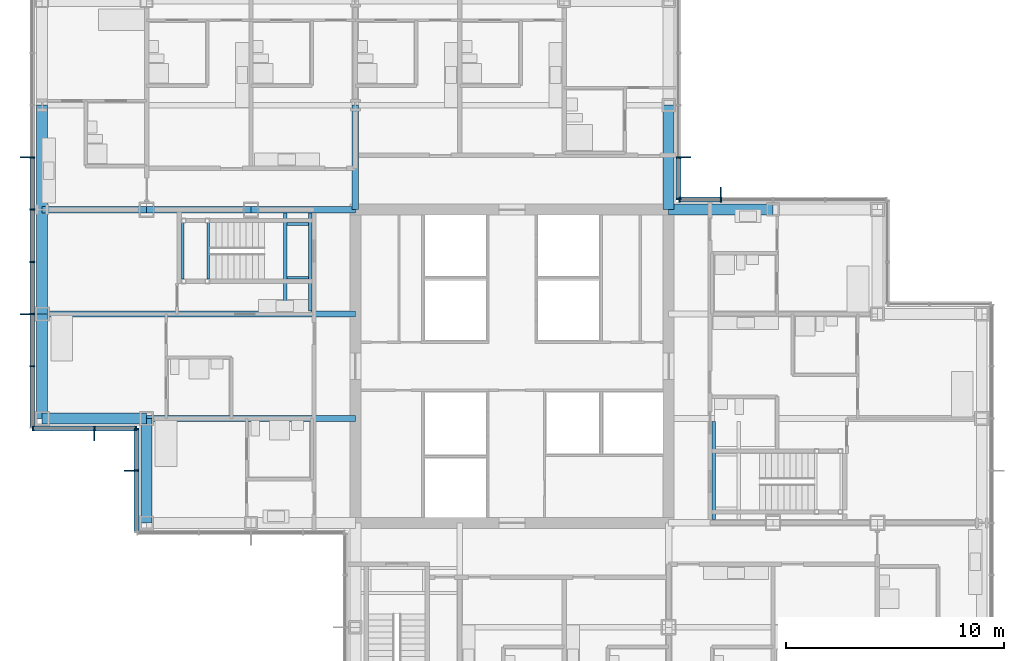
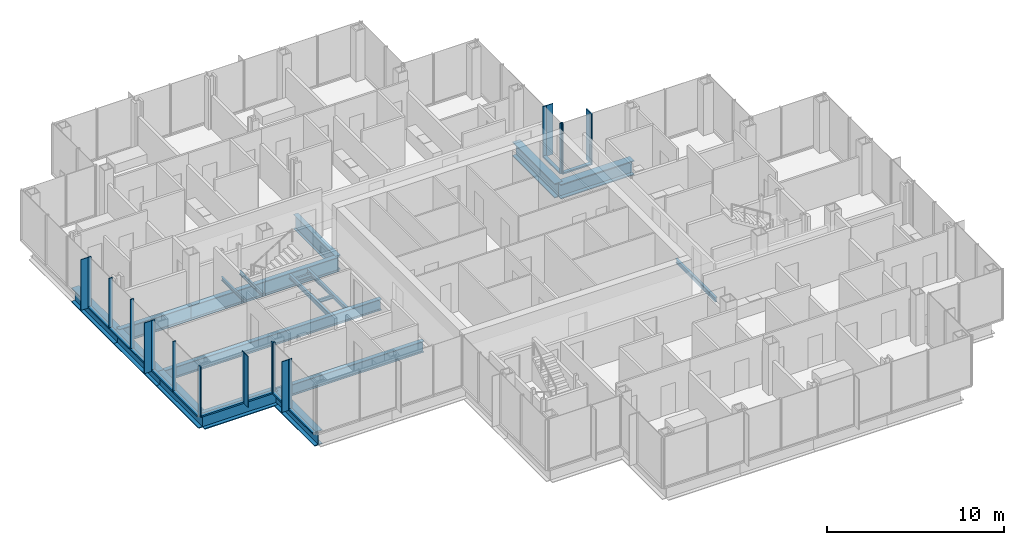
# One storey, part 7 of 19: 31 members, 20 beams, 5 elements without a shape of their own.
"""IFC4 building model written with IfcOpenShell, lengths in metres."""

from ifc_helpers import new_model, si_unit, direction, frame, origin, origin_2d, place, context, subcontext, project, spatial, rectangle, i_section, extrude, material, material_profile, profile_set, type_object, element, aggregate, save


model = new_model("IFC4")

# Units and contexts
model_context = context("Model", 3, precision=1e-05, world=origin(), true_north=direction((0.0, 1.0)))
body_context = subcontext(model_context, "Body", "Model", "MODEL_VIEW")
ifc_project = project(units=[si_unit("LENGTHUNIT", "METRE"), si_unit("AREAUNIT", "SQUARE_METRE"), si_unit("VOLUMEUNIT", "CUBIC_METRE"), si_unit("PLANEANGLEUNIT", "RADIAN"), si_unit("MASSUNIT", "GRAM", prefix="KILO")], contexts=[model_context])

# Site, building, storey
site_placement = place(None, origin())
site = spatial("IfcSite", under=ifc_project, at=site_placement, CompositionType="ELEMENT")
building_placement = place(site_placement, origin())
building = spatial("IfcBuilding", under=site, at=building_placement, Name="Kvirike Care Tower", CompositionType="ELEMENT")
storey_placement = place(building_placement, frame((0.0, 0.0, 87.5)))
storey = spatial("IfcBuildingStorey", under=building, at=storey_placement, Name="L23", CompositionType="ELEMENT", Elevation=87.5)

# Curtain wall, member
ifc_material_1 = material(Name="Anodised aluminium stick system", Category="aluminium")
curtain_wall_type = type_object("IfcCurtainWallType", Name="CW-B STICK CURTAIN WALL", PredefinedType="NOTDEFINED", material=ifc_material_1)
curtain_wall_1_placement = place(storey_placement, origin())
curtain_wall_1 = element("IfcCurtainWall", 1, at=curtain_wall_1_placement, inside=storey, type_object=curtain_wall_type, Name="Curtain wall L23 face 4", PredefinedType="NOTDEFINED")
ifc_material_2 = material(Name="Bronze anodised aluminium fin", Category="aluminium")
ifc_material_profile_1 = material_profile(ifc_material_2, rectangle(XDim=0.050048828125, YDim=0.449951171875, at=origin_2d()), Name="BRONZE FIN 450")
ifc_profile_set_1 = profile_set([ifc_material_profile_1], Name="Bronze anodised aluminium fin")
member_type_1 = type_object("IfcMemberType", Name="BRONZE FIN 450", PredefinedType="USERDEFINED", material=ifc_profile_set_1)
member_1_placement = place(storey_placement, frame((31.199951171875, 43.9951171875, 0.0), z_axis=(0.0, 0.0, 1.0), x_axis=(-1.0, 0.0, 0.0)))
member_1 = element("IfcMember", 2, at=member_1_placement, type_object=member_type_1, Name="Bronze fin L23 face 4.4", ObjectType="FIN", PredefinedType="USERDEFINED", context=body_context, shape_type="SweptSolid", body=[
    extrude(rectangle(XDim=0.050048828125, YDim=0.449951171875, at=origin_2d()), origin(), (0.0, 0.0, 1.0), 3.5),
])

curtain_wall_2_placement = place(storey_placement, origin())
curtain_wall_2 = element("IfcCurtainWall", 3, at=curtain_wall_2_placement, inside=storey, type_object=curtain_wall_type, Name="Curtain wall L23 face 5", PredefinedType="NOTDEFINED")
member_2_placement = place(storey_placement, frame((29.594970703125, 45.60009765625, 0.0), z_axis=(0.0, 0.0, 1.0), x_axis=(0.0, 1.0, 0.0)))
member_2 = element("IfcMember", 4, at=member_2_placement, type_object=member_type_1, Name="Bronze fin L23 face 5.2", ObjectType="FIN", PredefinedType="USERDEFINED", context=body_context, shape_type="SweptSolid", body=[
    extrude(rectangle(XDim=0.050048828125, YDim=0.449951171875, at=origin_2d()), origin(), (0.0, 0.0, 1.0), 3.5),
])

# Curtain wall, members
curtain_wall_3_placement = place(storey_placement, origin())
curtain_wall_3 = element("IfcCurtainWall", 5, at=curtain_wall_3_placement, inside=storey, type_object=curtain_wall_type, Name="Curtain wall L23 face 11", PredefinedType="NOTDEFINED")
member_3_placement = place(storey_placement, frame((-0.794921875, 45.60009765625, 0.0), z_axis=(0.0, 0.0, 1.0), x_axis=(0.0, -1.0, 0.0)))
member_3 = element("IfcMember", 6, at=member_3_placement, type_object=member_type_1, Name="Bronze fin L23 face 11.4", ObjectType="FIN", PredefinedType="USERDEFINED", context=body_context, shape_type="SweptSolid", body=[
    extrude(rectangle(XDim=0.050048828125, YDim=0.449951171875, at=origin_2d()), origin(), (0.0, 0.0, 1.0), 3.5),
])
member_4_placement = place(storey_placement, frame((-0.794921875, 38.39990234375, 0.0), z_axis=(0.0, 0.0, 1.0), x_axis=(0.0, -1.0, 0.0)))
member_4 = element("IfcMember", 7, at=member_4_placement, type_object=member_type_1, Name="Bronze fin L23 face 11.7", ObjectType="FIN", PredefinedType="USERDEFINED", context=body_context, shape_type="SweptSolid", body=[
    extrude(rectangle(XDim=0.050048828125, YDim=0.449951171875, at=origin_2d()), origin(), (0.0, 0.0, 1.0), 3.5),
])

# Curtain wall, member
curtain_wall_4_placement = place(storey_placement, origin())
curtain_wall_4 = element("IfcCurtainWall", 8, at=curtain_wall_4_placement, inside=storey, type_object=curtain_wall_type, Name="Curtain wall L23 face 12", PredefinedType="NOTDEFINED")
member_5_placement = place(storey_placement, frame((2.39990234375, 32.804931640625, 0.0), z_axis=(0.0, 0.0, 1.0), x_axis=(1.0, 0.0, 0.0)))
member_5 = element("IfcMember", 9, at=member_5_placement, type_object=member_type_1, Name="Bronze fin L23 face 12.2", ObjectType="FIN", PredefinedType="USERDEFINED", context=body_context, shape_type="SweptSolid", body=[
    extrude(rectangle(XDim=0.050048828125, YDim=0.449951171875, at=origin_2d()), origin(), (0.0, 0.0, 1.0), 3.5),
])

curtain_wall_5_placement = place(storey_placement, origin())
curtain_wall_5 = element("IfcCurtainWall", 10, at=curtain_wall_5_placement, inside=storey, type_object=curtain_wall_type, Name="Curtain wall L23 face 13", PredefinedType="NOTDEFINED")
member_6_placement = place(storey_placement, frame((4.0048828125, 31.199951171875, 0.0), z_axis=(0.0, 0.0, 1.0), x_axis=(0.0, -1.0, 0.0)))
member_6 = element("IfcMember", 11, at=member_6_placement, type_object=member_type_1, Name="Bronze fin L23 face 13.2", ObjectType="FIN", PredefinedType="USERDEFINED", context=body_context, shape_type="SweptSolid", body=[
    extrude(rectangle(XDim=0.050048828125, YDim=0.449951171875, at=origin_2d()), origin(), (0.0, 0.0, 1.0), 3.5),
])

# Member
ifc_material_3 = material(Name="Bronze anodised aluminium mullion", Category="aluminium")
ifc_material_profile_2 = material_profile(ifc_material_3, rectangle(XDim=0.06494140625, YDim=0.219970703125, at=origin_2d()), Name="CW-B MULLION 65x220")
ifc_profile_set_2 = profile_set([ifc_material_profile_2], Name="Bronze anodised aluminium mullion")
member_type_2 = type_object("IfcMemberType", Name="CW-B MULLION 65x220", PredefinedType="MULLION", material=ifc_profile_set_2)
member_7_placement = place(storey_placement, frame((31.199951171875, 43.659912109375, 0.0), z_axis=(0.0, 0.0, 1.0), x_axis=(-1.0, 0.0, 0.0)))
member_7 = element("IfcMember", 12, at=member_7_placement, type_object=member_type_2, Name="CW-B mullion L23 face 4.4", PredefinedType="MULLION", context=body_context, shape_type="SweptSolid", body=[
    extrude(rectangle(XDim=0.06494140625, YDim=0.219970703125, at=origin_2d()), origin(), (0.0, 0.0, 1.0), 3.5),
])

member_8_placement = place(storey_placement, frame((29.29248046875, 43.659912109375, 0.0), z_axis=(0.0, 0.0, 1.0), x_axis=(-1.0, 0.0, 0.0)))
member_8 = element("IfcMember", 13, at=member_8_placement, type_object=member_type_2, Name="CW-B mullion L23 face 4.5", PredefinedType="MULLION", context=body_context, shape_type="SweptSolid", body=[
    extrude(rectangle(XDim=0.06494140625, YDim=0.219970703125, at=origin_2d()), origin(), (0.0, 0.0, 1.0), 3.5),
])

member_9_placement = place(storey_placement, frame((29.260009765625, 43.6923828125, 0.0), z_axis=(0.0, 0.0, 1.0), x_axis=(0.0, 1.0, 0.0)))
member_9 = element("IfcMember", 14, at=member_9_placement, type_object=member_type_2, Name="CW-B mullion L23 face 5.1", PredefinedType="MULLION", context=body_context, shape_type="SweptSolid", body=[
    extrude(rectangle(XDim=0.06494140625, YDim=0.219970703125, at=origin_2d()), origin(), (0.0, 0.0, 1.0), 3.5),
])

member_10_placement = place(storey_placement, frame((29.260009765625, 45.60009765625, 0.0), z_axis=(0.0, 0.0, 1.0), x_axis=(0.0, 1.0, 0.0)))
member_10 = element("IfcMember", 15, at=member_10_placement, type_object=member_type_2, Name="CW-B mullion L23 face 5.2", PredefinedType="MULLION", context=body_context, shape_type="SweptSolid", body=[
    extrude(rectangle(XDim=0.06494140625, YDim=0.219970703125, at=origin_2d()), origin(), (0.0, 0.0, 1.0), 3.5),
])

member_11_placement = place(storey_placement, frame((-0.4599609375, 45.60009765625, 0.0), z_axis=(0.0, 0.0, 1.0), x_axis=(0.0, -1.0, 0.0)))
member_11 = element("IfcMember", 16, at=member_11_placement, type_object=member_type_2, Name="CW-B mullion L23 face 11.4", PredefinedType="MULLION", context=body_context, shape_type="SweptSolid", body=[
    extrude(rectangle(XDim=0.06494140625, YDim=0.219970703125, at=origin_2d()), origin(), (0.0, 0.0, 1.0), 3.5),
])

member_12_placement = place(storey_placement, frame((-0.4599609375, 43.199951171875, 0.0), z_axis=(0.0, 0.0, 1.0), x_axis=(0.0, -1.0, 0.0)))
member_12 = element("IfcMember", 17, at=member_12_placement, type_object=member_type_2, Name="CW-B mullion L23 face 11.5", PredefinedType="MULLION", context=body_context, shape_type="SweptSolid", body=[
    extrude(rectangle(XDim=0.06494140625, YDim=0.219970703125, at=origin_2d()), origin(), (0.0, 0.0, 1.0), 3.5),
])

member_13_placement = place(storey_placement, frame((-0.4599609375, 40.800048828125, 0.0), z_axis=(0.0, 0.0, 1.0), x_axis=(0.0, -1.0, 0.0)))
member_13 = element("IfcMember", 18, at=member_13_placement, type_object=member_type_2, Name="CW-B mullion L23 face 11.6", PredefinedType="MULLION", context=body_context, shape_type="SweptSolid", body=[
    extrude(rectangle(XDim=0.06494140625, YDim=0.219970703125, at=origin_2d()), origin(), (0.0, 0.0, 1.0), 3.5),
])

member_14_placement = place(storey_placement, frame((-0.4599609375, 38.39990234375, 0.0), z_axis=(0.0, 0.0, 1.0), x_axis=(0.0, -1.0, 0.0)))
member_14 = element("IfcMember", 19, at=member_14_placement, type_object=member_type_2, Name="CW-B mullion L23 face 11.7", PredefinedType="MULLION", context=body_context, shape_type="SweptSolid", body=[
    extrude(rectangle(XDim=0.06494140625, YDim=0.219970703125, at=origin_2d()), origin(), (0.0, 0.0, 1.0), 3.5),
])

member_15_placement = place(storey_placement, frame((-0.4599609375, 36.0, 0.0), z_axis=(0.0, 0.0, 1.0), x_axis=(0.0, -1.0, 0.0)))
member_15 = element("IfcMember", 20, at=member_15_placement, type_object=member_type_2, Name="CW-B mullion L23 face 11.8", PredefinedType="MULLION", context=body_context, shape_type="SweptSolid", body=[
    extrude(rectangle(XDim=0.06494140625, YDim=0.219970703125, at=origin_2d()), origin(), (0.0, 0.0, 1.0), 3.5),
])

member_16_placement = place(storey_placement, frame((-0.427490234375, 33.139892578125, 0.0), z_axis=(0.0, 0.0, 1.0), x_axis=(1.0, 0.0, 0.0)))
member_16 = element("IfcMember", 21, at=member_16_placement, type_object=member_type_2, Name="CW-B mullion L23 face 12.1", PredefinedType="MULLION", context=body_context, shape_type="SweptSolid", body=[
    extrude(rectangle(XDim=0.06494140625, YDim=0.219970703125, at=origin_2d()), origin(), (0.0, 0.0, 1.0), 3.5),
])

member_17_placement = place(storey_placement, frame((2.39990234375, 33.139892578125, 0.0), z_axis=(0.0, 0.0, 1.0), x_axis=(1.0, 0.0, 0.0)))
member_17 = element("IfcMember", 22, at=member_17_placement, type_object=member_type_2, Name="CW-B mullion L23 face 12.2", PredefinedType="MULLION", context=body_context, shape_type="SweptSolid", body=[
    extrude(rectangle(XDim=0.06494140625, YDim=0.219970703125, at=origin_2d()), origin(), (0.0, 0.0, 1.0), 3.5),
])

member_18_placement = place(storey_placement, frame((4.3076171875, 33.139892578125, 0.0), z_axis=(0.0, 0.0, 1.0), x_axis=(1.0, 0.0, 0.0)))
member_18 = element("IfcMember", 23, at=member_18_placement, type_object=member_type_2, Name="CW-B mullion L23 face 12.3", PredefinedType="MULLION", context=body_context, shape_type="SweptSolid", body=[
    extrude(rectangle(XDim=0.06494140625, YDim=0.219970703125, at=origin_2d()), origin(), (0.0, 0.0, 1.0), 3.5),
])

member_19_placement = place(storey_placement, frame((4.340087890625, 33.107421875, 0.0), z_axis=(0.0, 0.0, 1.0), x_axis=(0.0, -1.0, 0.0)))
member_19 = element("IfcMember", 24, at=member_19_placement, type_object=member_type_2, Name="CW-B mullion L23 face 13.1", PredefinedType="MULLION", context=body_context, shape_type="SweptSolid", body=[
    extrude(rectangle(XDim=0.06494140625, YDim=0.219970703125, at=origin_2d()), origin(), (0.0, 0.0, 1.0), 3.5),
])

member_20_placement = place(storey_placement, frame((4.340087890625, 31.199951171875, 0.0), z_axis=(0.0, 0.0, 1.0), x_axis=(0.0, -1.0, 0.0)))
member_20 = element("IfcMember", 25, at=member_20_placement, type_object=member_type_2, Name="CW-B mullion L23 face 13.2", PredefinedType="MULLION", context=body_context, shape_type="SweptSolid", body=[
    extrude(rectangle(XDim=0.06494140625, YDim=0.219970703125, at=origin_2d()), origin(), (0.0, 0.0, 1.0), 3.5),
])

ifc_material_4 = material(Name="Bronze anodised aluminium transom", Category="aluminium")
ifc_material_profile_3 = material_profile(ifc_material_4, rectangle(XDim=0.219970703125, YDim=0.10009765625, at=origin_2d()), Name="CW-B TRANSOM 220x100")
ifc_profile_set_3 = profile_set([ifc_material_profile_3], Name="Bronze anodised aluminium transom")
member_type_3 = type_object("IfcMemberType", Name="CW-B TRANSOM 220x100", PredefinedType="USERDEFINED", material=ifc_profile_set_3)
member_21_placement = place(storey_placement, frame((31.16748046875, 43.659912109375, 0.050048828125), z_axis=(-1.0, 0.0, 0.0), x_axis=(0.0, -1.0, 0.0)))
member_21 = element("IfcMember", 26, at=member_21_placement, type_object=member_type_3, Name="CW-B sill transom L23 face 4.4", ObjectType="TRANSOM", PredefinedType="USERDEFINED", context=body_context, shape_type="SweptSolid", body=[
    extrude(rectangle(XDim=0.219970703125, YDim=0.10009765625, at=origin_2d()), origin(), (0.0, 0.0, 1.0), 1.842529296875),
])

aggregate(curtain_wall_1, [member_7, member_1, member_8, member_21])

member_22_placement = place(storey_placement, frame((29.260009765625, 43.72509765625, 0.050048828125), z_axis=(0.0, 1.0, 0.0), x_axis=(-1.0, 0.0, 0.0)))
member_22 = element("IfcMember", 27, at=member_22_placement, type_object=member_type_3, Name="CW-B sill transom L23 face 5.1", ObjectType="TRANSOM", PredefinedType="USERDEFINED", context=body_context, shape_type="SweptSolid", body=[
    extrude(rectangle(XDim=0.219970703125, YDim=0.10009765625, at=origin_2d()), origin(), (0.0, 0.0, 1.0), 1.84228515625),
])

aggregate(curtain_wall_2, [member_9, member_10, member_2, member_22])

member_23_placement = place(storey_placement, frame((-0.4599609375, 45.5673828125, 0.050048828125), z_axis=(0.0, -1.0, 0.0), x_axis=(1.0, 0.0, 0.0)))
member_23 = element("IfcMember", 28, at=member_23_placement, type_object=member_type_3, Name="CW-B sill transom L23 face 11.4", ObjectType="TRANSOM", PredefinedType="USERDEFINED", context=body_context, shape_type="SweptSolid", body=[
    extrude(rectangle(XDim=0.219970703125, YDim=0.10009765625, at=origin_2d()), origin(), (0.0, 0.0, 1.0), 2.3349609375),
])

member_24_placement = place(storey_placement, frame((-0.4599609375, 43.16748046875, 0.050048828125), z_axis=(0.0, -1.0, 0.0), x_axis=(1.0, 0.0, 0.0)))
member_24 = element("IfcMember", 29, at=member_24_placement, type_object=member_type_3, Name="CW-B sill transom L23 face 11.5", ObjectType="TRANSOM", PredefinedType="USERDEFINED", context=body_context, shape_type="SweptSolid", body=[
    extrude(rectangle(XDim=0.219970703125, YDim=0.10009765625, at=origin_2d()), origin(), (0.0, 0.0, 1.0), 2.3349609375),
])

member_25_placement = place(storey_placement, frame((-0.4599609375, 40.767578125, 0.050048828125), z_axis=(0.0, -1.0, 0.0), x_axis=(1.0, 0.0, 0.0)))
member_25 = element("IfcMember", 30, at=member_25_placement, type_object=member_type_3, Name="CW-B sill transom L23 face 11.6", ObjectType="TRANSOM", PredefinedType="USERDEFINED", context=body_context, shape_type="SweptSolid", body=[
    extrude(rectangle(XDim=0.219970703125, YDim=0.10009765625, at=origin_2d()), origin(), (0.0, 0.0, 1.0), 2.3349609375),
])

member_26_placement = place(storey_placement, frame((-0.4599609375, 38.367431640625, 0.050048828125), z_axis=(0.0, -1.0, 0.0), x_axis=(1.0, 0.0, 0.0)))
member_26 = element("IfcMember", 31, at=member_26_placement, type_object=member_type_3, Name="CW-B sill transom L23 face 11.7", ObjectType="TRANSOM", PredefinedType="USERDEFINED", context=body_context, shape_type="SweptSolid", body=[
    extrude(rectangle(XDim=0.219970703125, YDim=0.10009765625, at=origin_2d()), origin(), (0.0, 0.0, 1.0), 2.3349609375),
])

member_27_placement = place(storey_placement, frame((-0.4599609375, 35.967529296875, 0.050048828125), z_axis=(0.0, -1.0, 0.0), x_axis=(1.0, 0.0, 0.0)))
member_27 = element("IfcMember", 32, at=member_27_placement, type_object=member_type_3, Name="CW-B sill transom L23 face 11.8", ObjectType="TRANSOM", PredefinedType="USERDEFINED", context=body_context, shape_type="SweptSolid", body=[
    extrude(rectangle(XDim=0.219970703125, YDim=0.10009765625, at=origin_2d()), origin(), (0.0, 0.0, 1.0), 2.762451171875),
])

aggregate(curtain_wall_3, [member_11, member_3, member_12, member_13, member_14, member_4, member_15, member_23, member_24, member_25, member_26, member_27])

member_28_placement = place(storey_placement, frame((-0.39501953125, 33.139892578125, 0.050048828125), z_axis=(1.0, 0.0, 0.0), x_axis=(0.0, 1.0, 0.0)))
member_28 = element("IfcMember", 33, at=member_28_placement, type_object=member_type_3, Name="CW-B sill transom L23 face 12.1", ObjectType="TRANSOM", PredefinedType="USERDEFINED", context=body_context, shape_type="SweptSolid", body=[
    extrude(rectangle(XDim=0.219970703125, YDim=0.10009765625, at=origin_2d()), origin(), (0.0, 0.0, 1.0), 2.762451171875),
])

member_29_placement = place(storey_placement, frame((2.4326171875, 33.139892578125, 0.050048828125), z_axis=(1.0, 0.0, 0.0), x_axis=(0.0, 1.0, 0.0)))
member_29 = element("IfcMember", 34, at=member_29_placement, type_object=member_type_3, Name="CW-B sill transom L23 face 12.2", ObjectType="TRANSOM", PredefinedType="USERDEFINED", context=body_context, shape_type="SweptSolid", body=[
    extrude(rectangle(XDim=0.219970703125, YDim=0.10009765625, at=origin_2d()), origin(), (0.0, 0.0, 1.0), 1.84228515625),
])

aggregate(curtain_wall_4, [member_16, member_17, member_5, member_18, member_28, member_29])

member_30_placement = place(storey_placement, frame((4.340087890625, 33.074951171875, 0.050048828125), z_axis=(0.0, -1.0, 0.0), x_axis=(1.0, 0.0, 0.0)))
member_30 = element("IfcMember", 35, at=member_30_placement, type_object=member_type_3, Name="CW-B sill transom L23 face 13.1", ObjectType="TRANSOM", PredefinedType="USERDEFINED", context=body_context, shape_type="SweptSolid", body=[
    extrude(rectangle(XDim=0.219970703125, YDim=0.10009765625, at=origin_2d()), origin(), (0.0, 0.0, 1.0), 1.842529296875),
])

member_31_placement = place(storey_placement, frame((4.340087890625, 31.16748046875, 0.050048828125), z_axis=(0.0, -1.0, 0.0), x_axis=(1.0, 0.0, 0.0)))
member_31 = element("IfcMember", 36, at=member_31_placement, type_object=member_type_3, Name="CW-B sill transom L23 face 13.2", ObjectType="TRANSOM", PredefinedType="USERDEFINED", context=body_context, shape_type="SweptSolid", body=[
    extrude(rectangle(XDim=0.219970703125, YDim=0.10009765625, at=origin_2d()), origin(), (0.0, 0.0, 1.0), 2.762451171875),
])

aggregate(curtain_wall_5, [member_19, member_20, member_6, member_30, member_31])

# Beams
ifc_material_5 = material(Name="Steel S355", Category="steel")
ifc_material_profile_4 = material_profile(ifc_material_5, i_section(OverallWidth=0.26806640625, OverallDepth=0.77001953125, WebThickness=0.015625, FlangeThickness=0.025390625, FilletRadius=0.01708984375, at=origin_2d()), Name="IPE 750x196")
ifc_profile_set_4 = profile_set([ifc_material_profile_4], Name="Steel S355")
beam_type_1 = type_object("IfcBeamType", Name="FLOOR BEAM IPE 750x196", PredefinedType="BEAM", material=ifc_profile_set_4)
beam_1_placement = place(storey_placement, frame((4.800048828125, 33.60009765625, -0.554931640625), z_axis=(1.0, 0.0, 0.0), x_axis=(0.0, 1.0, 0.0)))
element("IfcBeam", 37, at=beam_1_placement, inside=storey, type_object=beam_type_1, Name="Floor Beam H4-H6 L23", PredefinedType="BEAM", context=body_context, shape_type="SweptSolid", body=[
    extrude(i_section(OverallWidth=0.26806640625, OverallDepth=0.77001953125, WebThickness=0.015625, FlangeThickness=0.025390625, FilletRadius=0.01708984375, at=origin_2d()), origin(), (0.0, 0.0, 1.0), 9.599853515625),
])
beam_2_placement = place(storey_placement, frame((0.0, 38.39990234375, -0.554931640625), z_axis=(1.0, 0.0, 0.0), x_axis=(0.0, 1.0, 0.0)))
element("IfcBeam", 38, at=beam_2_placement, inside=storey, type_object=beam_type_1, Name="Floor Beam J3-J6 L23", PredefinedType="BEAM", context=body_context, shape_type="SweptSolid", body=[
    extrude(i_section(OverallWidth=0.26806640625, OverallDepth=0.77001953125, WebThickness=0.015625, FlangeThickness=0.025390625, FilletRadius=0.01708984375, at=origin_2d()), origin(), (0.0, 0.0, 1.0), 14.39990234375),
])
ifc_material_6 = material(Name="Steel S355", Category="steel")
ifc_material_profile_5 = material_profile(ifc_material_6, i_section(OverallWidth=0.300048828125, OverallDepth=1.0, WebThickness=0.01904296875, FlangeThickness=0.035888671875, FilletRadius=0.030029296875, at=origin_2d()), Name="HE 1000 B")
ifc_profile_set_5 = profile_set([ifc_material_profile_5], Name="Steel S355")
beam_type_2 = type_object("IfcBeamType", Name="FRAME BEAM HE 1000 B", PredefinedType="BEAM", material=ifc_profile_set_5)
for number, where, z_axis, x_axis, name in (
    (39, (0.0, 43.199951171875, -0.669921875), (1.0, 0.0, 0.0), (0.0, 1.0, 0.0), "Frame Beam K3-K4 L23"),
    (40, (4.800048828125, 43.199951171875, -0.669921875), (1.0, 0.0, 0.0), (0.0, 1.0, 0.0), "Frame Beam K4-K5 L23"),
):
    element("IfcBeam", number, at=place(storey_placement, frame(where, z_axis=z_axis, x_axis=x_axis)), inside=storey, type_object=beam_type_2, Name=name, PredefinedType="BEAM", context=body_context, shape_type="SweptSolid", body=[
        extrude(i_section(OverallWidth=0.300048828125, OverallDepth=1.0, WebThickness=0.01904296875, FlangeThickness=0.035888671875, FilletRadius=0.030029296875, at=origin_2d()), origin(), (0.0, 0.0, 1.0), 4.800048828125),
    ])
beam_3_placement = place(storey_placement, frame((9.60009765625, 43.199951171875, -0.669921875), z_axis=(1.0, 0.0, 0.0), x_axis=(0.0, 1.0, 0.0)))
element("IfcBeam", 41, at=beam_3_placement, inside=storey, type_object=beam_type_2, Name="Frame Beam K5-K6 L23", PredefinedType="BEAM", context=body_context, shape_type="SweptSolid", body=[
    extrude(i_section(OverallWidth=0.300048828125, OverallDepth=1.0, WebThickness=0.01904296875, FlangeThickness=0.035888671875, FilletRadius=0.030029296875, at=origin_2d()), origin(), (0.0, 0.0, 1.0), 4.7998046875),
])
beam_4_placement = place(storey_placement, frame((14.39990234375, 43.199951171875, -0.669921875), z_axis=(0.0, 1.0, 0.0), x_axis=(-1.0, 0.0, 0.0)))
element("IfcBeam", 42, at=beam_4_placement, inside=storey, type_object=beam_type_2, Name="Frame Beam K6-L6 L23", PredefinedType="BEAM", context=body_context, shape_type="SweptSolid", body=[
    extrude(i_section(OverallWidth=0.300048828125, OverallDepth=1.0, WebThickness=0.01904296875, FlangeThickness=0.035888671875, FilletRadius=0.030029296875, at=origin_2d()), origin(), (0.0, 0.0, 1.0), 4.800048828125),
])
ifc_material_7 = material(Name="Steel S355", Category="steel")
ifc_material_profile_6 = material_profile(ifc_material_7, i_section(OverallWidth=0.5, OverallDepth=1.0, WebThickness=0.030029296875, FlangeThickness=0.06005859375, at=origin_2d()), Name="PG 1000x500x30x60")
ifc_profile_set_6 = profile_set([ifc_material_profile_6], Name="Steel S355")
beam_type_3 = type_object("IfcBeamType", Name="SPANDREL PG 1000x500x30x60", PredefinedType="SPANDREL", material=ifc_profile_set_6)
for number, where, z_axis, x_axis, name in (
    (43, (0.0, 33.60009765625, -0.669921875), (1.0, 0.0, 0.0), (0.0, 1.0, 0.0), "Spandrel H3-H4 L23"),
    (44, (28.800048828125, 43.199951171875, -0.669921875), (1.0, 0.0, 0.0), (0.0, 1.0, 0.0), "Spandrel K9-K10 L23"),
):
    element("IfcBeam", number, at=place(storey_placement, frame(where, z_axis=z_axis, x_axis=x_axis)), inside=storey, type_object=beam_type_3, Name=name, PredefinedType="SPANDREL", context=body_context, shape_type="SweptSolid", body=[
        extrude(i_section(OverallWidth=0.5, OverallDepth=1.0, WebThickness=0.030029296875, FlangeThickness=0.06005859375, at=origin_2d()), origin(), (0.0, 0.0, 1.0), 4.800048828125),
    ])
beam_5_placement = place(storey_placement, frame((0.0, 33.60009765625, -0.669921875), z_axis=(0.0, 1.0, 0.0), x_axis=(-1.0, 0.0, 0.0)))
element("IfcBeam", 45, at=beam_5_placement, inside=storey, type_object=beam_type_3, Name="Spandrel H3-J3 L23", PredefinedType="SPANDREL", context=body_context, shape_type="SweptSolid", body=[
    extrude(i_section(OverallWidth=0.5, OverallDepth=1.0, WebThickness=0.030029296875, FlangeThickness=0.06005859375, at=origin_2d()), origin(), (0.0, 0.0, 1.0), 4.7998046875),
])
for number, where, z_axis, x_axis, name in (
    (46, (0.0, 38.39990234375, -0.669921875), (0.0, 1.0, 0.0), (-1.0, 0.0, 0.0), "Spandrel J3-K3 L23"),
    (47, (0.0, 43.199951171875, -0.669921875), (0.0, 1.0, 0.0), (-1.0, 0.0, 0.0), "Spandrel K3-L3 L23"),
    (48, (4.800048828125, 28.800048828125, -0.669921875), (0.0, 1.0, 0.0), (-1.0, 0.0, 0.0), "Spandrel G4-H4 L23"),
    (49, (28.800048828125, 43.199951171875, -0.669921875), (0.0, 1.0, 0.0), (-1.0, 0.0, 0.0), "Spandrel K9-L9 L23"),
):
    element("IfcBeam", number, at=place(storey_placement, frame(where, z_axis=z_axis, x_axis=x_axis)), inside=storey, type_object=beam_type_3, Name=name, PredefinedType="SPANDREL", context=body_context, shape_type="SweptSolid", body=[
        extrude(i_section(OverallWidth=0.5, OverallDepth=1.0, WebThickness=0.030029296875, FlangeThickness=0.06005859375, at=origin_2d()), origin(), (0.0, 0.0, 1.0), 4.800048828125),
    ])
ifc_material_8 = material(Name="Steel S355", Category="steel")
ifc_material_profile_7 = material_profile(ifc_material_8, i_section(OverallWidth=0.1201171875, OverallDepth=0.239990234375, WebThickness=0.006103515625, FlangeThickness=0.009765625, FilletRadius=0.014892578125, at=origin_2d()), Name="IPE 240")
ifc_profile_set_7 = profile_set([ifc_material_profile_7], Name="Steel S355")
beam_type_4 = type_object("IfcBeamType", Name="STAIR LANDING BEAM IPE 240", PredefinedType="BEAM", material=ifc_profile_set_7)
for number, where, z_axis, x_axis, name in (
    (50, (6.4599609375, 42.60009765625, 1.429931640625), (0.0, -1.0, 0.0), (1.0, 0.0, 0.0), "Stair 1 landing beam back L23"),
    (51, (7.639892578125, 42.60009765625, 1.429931640625), (0.0, -1.0, 0.0), (1.0, 0.0, 0.0), "Stair 1 landing beam front L23"),
):
    element("IfcBeam", number, at=place(storey_placement, frame(where, z_axis=z_axis, x_axis=x_axis)), inside=storey, type_object=beam_type_4, Name=name, PredefinedType="BEAM", context=body_context, shape_type="SweptSolid", body=[
        extrude(i_section(OverallWidth=0.1201171875, OverallDepth=0.239990234375, WebThickness=0.006103515625, FlangeThickness=0.009765625, FilletRadius=0.014892578125, at=origin_2d()), origin(), (0.0, 0.0, 1.0), 2.60009765625),
    ])
for number, where, z_axis, x_axis, name in (
    (52, (11.25, 42.5400390625, -0.320068359375), (1.0, 0.0, 0.0), (0.0, 1.0, 0.0), "Stair 1 landing edge beam 1 L23"),
    (53, (11.25, 40.06005859375, -0.320068359375), (1.0, 0.0, 0.0), (0.0, 1.0, 0.0), "Stair 1 landing edge beam 2 L23"),
):
    element("IfcBeam", number, at=place(storey_placement, frame(where, z_axis=z_axis, x_axis=x_axis)), inside=storey, type_object=beam_type_4, Name=name, PredefinedType="BEAM", context=body_context, shape_type="SweptSolid", body=[
        extrude(i_section(OverallWidth=0.1201171875, OverallDepth=0.239990234375, WebThickness=0.006103515625, FlangeThickness=0.009765625, FilletRadius=0.014892578125, at=origin_2d()), origin(), (0.0, 0.0, 1.0), 1.0),
    ])
ifc_material_9 = material(Name="Steel S355", Category="steel")
ifc_material_profile_8 = material_profile(ifc_material_9, i_section(OverallWidth=0.14990234375, OverallDepth=0.300048828125, WebThickness=0.007080078125, FlangeThickness=0.0107421875, FilletRadius=0.014892578125, at=origin_2d()), Name="IPE 300")
ifc_profile_set_8 = profile_set([ifc_material_profile_8], Name="Steel S355")
beam_type_5 = type_object("IfcBeamType", Name="STAIR TRIMMER IPE 300", PredefinedType="BEAM", material=ifc_profile_set_8)
for number, where, z_axis, x_axis, name in (
    (54, (11.175048828125, 43.050048828125, -0.35009765625), (0.0, -1.0, 0.0), (1.0, 0.0, 0.0), "Stair 1 trimmer 1 L23"),
    (55, (12.324951171875, 43.050048828125, -0.35009765625), (0.0, -1.0, 0.0), (1.0, 0.0, 0.0), "Stair 1 trimmer 2 L23"),
    (56, (30.875, 28.949951171875, -0.35009765625), (0.0, 1.0, 0.0), (-1.0, 0.0, 0.0), "Stair 2 trimmer 2 L23"),
):
    element("IfcBeam", number, at=place(storey_placement, frame(where, z_axis=z_axis, x_axis=x_axis)), inside=storey, type_object=beam_type_5, Name=name, PredefinedType="BEAM", context=body_context, shape_type="SweptSolid", body=[
        extrude(i_section(OverallWidth=0.14990234375, OverallDepth=0.300048828125, WebThickness=0.007080078125, FlangeThickness=0.0107421875, FilletRadius=0.014892578125, at=origin_2d()), origin(), (0.0, 0.0, 1.0), 4.51611328125),
    ])

save(model, "model.ifc")
